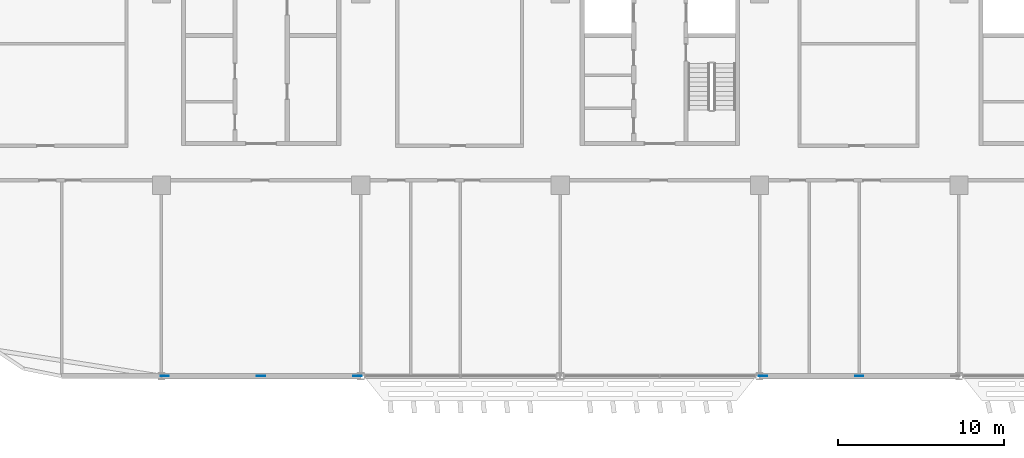
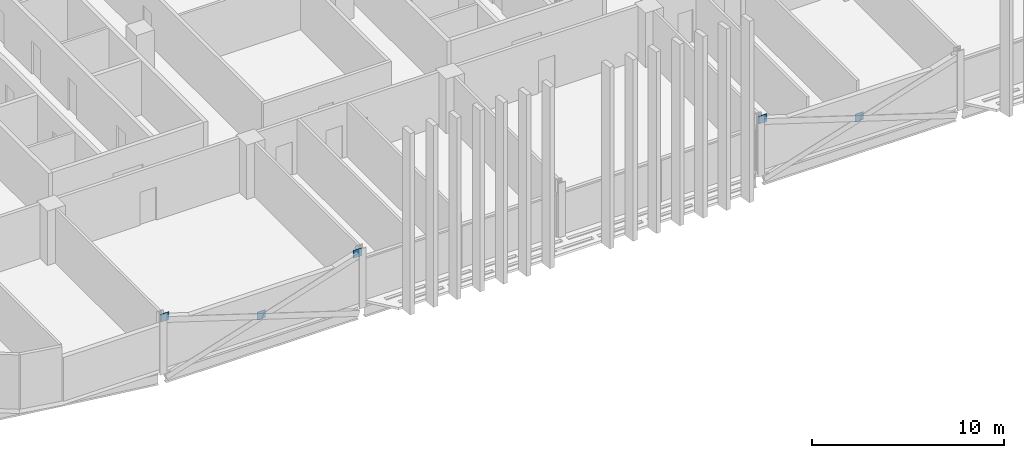
# One storey, part 20 of 30: 5 discrete accessories.
"""IFC4 building model written with IfcOpenShell, lengths in metres."""

from ifc_helpers import new_model, si_unit, direction, frame, origin, origin_2d, place, context, subcontext, project, spatial, rectangle, extrude, material, layer, layer_set, type_object, element, save


model = new_model("IFC4")

# Units and contexts
model_context = context("Model", 3, precision=1e-05, world=origin(), true_north=direction((0.0, 1.0)))
body_context = subcontext(model_context, "Body", "Model", "MODEL_VIEW")
ifc_project = project(units=[si_unit("LENGTHUNIT", "METRE"), si_unit("AREAUNIT", "SQUARE_METRE"), si_unit("VOLUMEUNIT", "CUBIC_METRE"), si_unit("PLANEANGLEUNIT", "RADIAN"), si_unit("MASSUNIT", "GRAM", prefix="KILO")], contexts=[model_context])

# Site, building, storey
site_placement = place(None, origin())
site = spatial("IfcSite", under=ifc_project, at=site_placement, CompositionType="ELEMENT")
building_placement = place(site_placement, origin())
building = spatial("IfcBuilding", under=site, at=building_placement, Name="Mahtab Terrace Research Tower", CompositionType="ELEMENT")
storey_placement = place(building_placement, frame((0.0, 0.0, 209.10009765625)))
storey = spatial("IfcBuildingStorey", under=building, at=storey_placement, Name="L50", CompositionType="ELEMENT", Elevation=209.10009765625)

# Discrete accessories
ifc_material = material(Name="Steel ASTM A992 Gr 50", Category="steel")
ifc_layer = layer(ifc_material, 0.030029296875)
ifc_layer_set = layer_set([ifc_layer], Name="Gusset plate 500x500x30")
discrete_accessory_type = type_object("IfcDiscreteAccessoryType", Name="Gusset plate 500x500x30", PredefinedType="USERDEFINED", material=ifc_layer_set)
for number, where, z_axis, x_axis, name in (
    (1, (-29.79931640625, -23.0, 2.870849609375), (0.0, 0.0, 1.0), (1.0, 0.0, 0.0), "Gusset plate"),
    (2, (-24.0, -23.0, 0.970703125), (0.0, 0.0, 1.0), (1.0, 0.0, 0.0), "Gusset plate"),
    (3, (-18.20068359375, -23.0, 2.870849609375), (0.0, 0.0, 1.0), (1.0, 0.0, 0.0), "Gusset plate"),
    (4, (6.20068359375, -23.0, 2.870849609375), (0.0, 0.0, 1.0), (1.0, 0.0, 0.0), "Gusset plate"),
    (5, (12.0, -23.0, 0.970703125), (0.0, 0.0, 1.0), (1.0, 0.0, 0.0), "Gusset plate"),
):
    element("IfcDiscreteAccessory", number, at=place(storey_placement, frame(where, z_axis=z_axis, x_axis=x_axis)), inside=storey, type_object=discrete_accessory_type, Name=name, ObjectType="GUSSET PLATE", PredefinedType="USERDEFINED", context=body_context, shape_type="SweptSolid", body=[
        extrude(rectangle(XDim=0.5, YDim=0.030029296875, at=origin_2d()), origin(), (0.0, 0.0, 1.0), 0.5),
    ])

save(model, "model.ifc")
